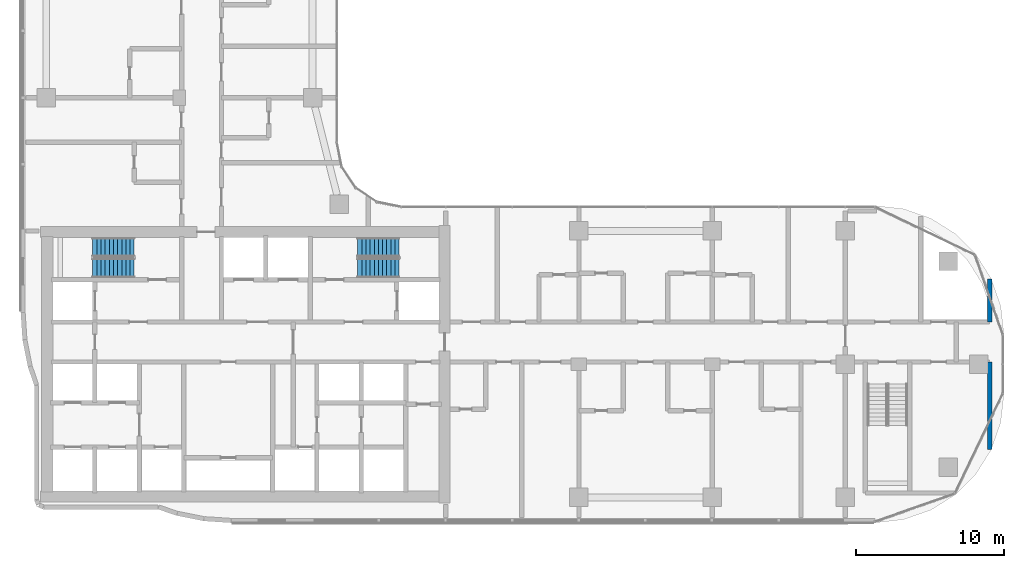
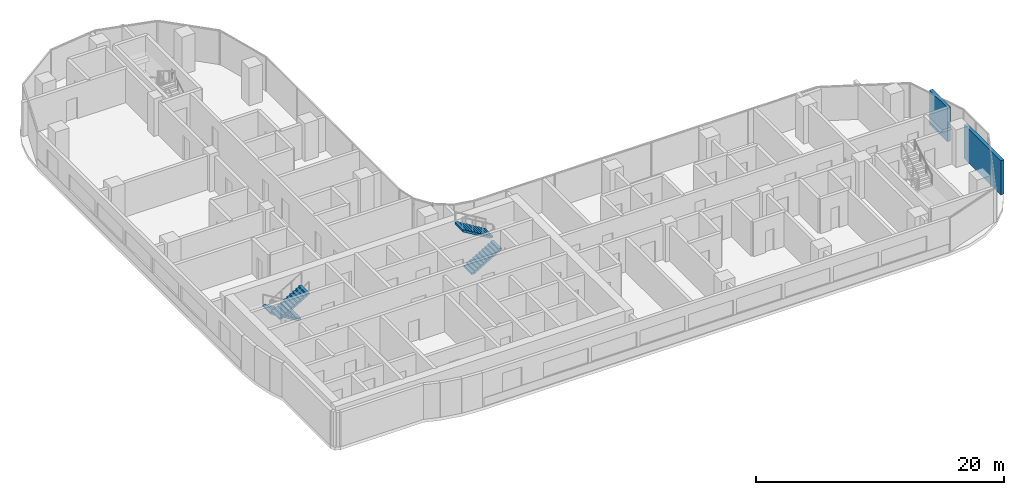
# One storey, part 14 of 22: 4 stair flights, 2 walls, 2 elements without a shape of their own.
"""IFC4 building model written with IfcOpenShell, lengths in metres."""

from ifc_helpers import new_model, si_unit, direction, frame, frame_2d, origin, place, context, subcontext, project, spatial, rectangle, extrude, triangles, source, transform, mapped, material, layer, layer_set, type_object, element, aggregate, save


model = new_model("IFC4")

# Units and contexts
model_context = context("Model", 3, precision=1e-05, world=origin(), true_north=direction((0.0, 1.0)))
body_context = subcontext(model_context, "Body", "Model", "MODEL_VIEW")
ifc_project = project(units=[si_unit("LENGTHUNIT", "METRE"), si_unit("AREAUNIT", "SQUARE_METRE"), si_unit("VOLUMEUNIT", "CUBIC_METRE"), si_unit("PLANEANGLEUNIT", "RADIAN"), si_unit("MASSUNIT", "GRAM", prefix="KILO")], contexts=[model_context])

# Site, building, storey
site_placement = place(None, origin())
site = spatial("IfcSite", under=ifc_project, at=site_placement, CompositionType="ELEMENT")
building_placement = place(site_placement, origin())
building = spatial("IfcBuilding", under=site, at=building_placement, Name="Ogive Portal Towers", CompositionType="ELEMENT")
storey_placement = place(building_placement, frame((0.0, 0.0, 131.5)))
storey = spatial("IfcBuildingStorey", under=building, at=storey_placement, Name="L32", CompositionType="ELEMENT", Elevation=131.5)

# Walls
ifc_material_1 = material(Name="Gypsum board partition on steel studs", Category="steel")
ifc_layer = layer(ifc_material_1, 0.300048828125)
ifc_layer_set = layer_set([ifc_layer], Name="WT-PART-300-EI 60")
wall_type = type_object("IfcWallType", Name="WT-PART-300-EI 60", PredefinedType="PARTITIONING", material=ifc_layer_set)
wall_1_placement = place(storey_placement, frame((95.25, 24.75390625, 0.0), z_axis=(0.0, 0.0, 1.0), x_axis=(0.0, 1.0, 0.0)))
element("IfcWall", 1, at=wall_1_placement, inside=storey, type_object=wall_type, Name="Wall L32:w066", PredefinedType="PARTITIONING", context=body_context, shape_type="SweptSolid", body=[
    extrude(rectangle(XDim=5.89599609375, YDim=0.300048828125, at=frame_2d((2.947998046875, 0.0))), origin(), (0.0, 0.0, 1.0), 3.35009765625),
])
wall_2_placement = place(storey_placement, frame((95.25, 33.35009765625, 0.0), z_axis=(0.0, 0.0, 1.0), x_axis=(0.0, 1.0, 0.0)))
element("IfcWall", 2, at=wall_2_placement, inside=storey, type_object=wall_type, Name="Wall L32:w067", PredefinedType="PARTITIONING", context=body_context, shape_type="SweptSolid", body=[
    extrude(rectangle(XDim=2.89599609375, YDim=0.300048828125, at=frame_2d((1.447998046875, 0.0))), origin(), (0.0, 0.0, 1.0), 3.35009765625),
])

# Stair, stair flights
ifc_material_2 = material(Name="Concrete C40/50", Category="concrete")
stair_type = type_object("IfcStairType", Name="INT-STAIR", PredefinedType="HALF_TURN_STAIR", material=ifc_material_2)
stair_1_placement = place(storey_placement, origin())
stair_1 = element("IfcStair", 3, at=stair_1_placement, inside=storey, type_object=stair_type, Name="L32 Exit Stair ST-A1", PredefinedType="HALF_TURN_STAIR")
stair_flight_type = type_object("IfcStairFlightType", Name="INT-FLIGHT", PredefinedType="STRAIGHT", material=ifc_material_2)
shared_shape = source(origin(), body_context, "Body", "Tessellation", [
    triangles([(0.0, -0.650146484375, 0.0), (0.0, -0.376220703125, 0.0), (0.0, -0.192626953125, 0.0), (0.0, -0.081298828125, 0.0), (0.0, -0.024169921875, 0.0), (0.0, -0.003173828125, 0.0), (0.0, 0.0, 0.0), (0.0, 0.0029296875, 0.0), (0.0, 0.02392578125, 0.0), (0.0, 0.0810546875, 0.0), (0.0, 0.1923828125, 0.0), (0.0, 0.3759765625, 0.0), (0.0, 0.64990234375, 0.0), (0.0, -0.650146484375, 0.168212890625), (0.0, -0.376220703125, 0.168212890625), (0.0, -0.192626953125, 0.168212890625), (0.0, -0.081298828125, 0.168212890625), (0.0, -0.024169921875, 0.168212890625), (0.0, -0.003173828125, 0.168212890625), (0.0, 0.0, 0.168212890625), (0.0, 0.0029296875, 0.168212890625), (0.0, 0.02392578125, 0.168212890625), (0.0, 0.0810546875, 0.168212890625), (0.0, 0.1923828125, 0.168212890625), (0.0, 0.3759765625, 0.168212890625), (0.0, 0.64990234375, 0.168212890625), (0.280029296875, -0.650146484375, 0.168212890625), (0.280029296875, -0.376220703125, 0.168212890625), (0.280029296875, -0.192626953125, 0.168212890625), (0.280029296875, -0.081298828125, 0.168212890625), (0.280029296875, -0.024169921875, 0.168212890625), (0.280029296875, -0.003173828125, 0.168212890625), (0.280029296875, 0.0, 0.168212890625), (0.280029296875, 0.0029296875, 0.168212890625), (0.280029296875, 0.02392578125, 0.168212890625), (0.280029296875, 0.0810546875, 0.168212890625), (0.280029296875, 0.1923828125, 0.168212890625), (0.280029296875, 0.3759765625, 0.168212890625), (0.280029296875, 0.64990234375, 0.168212890625), (0.280029296875, -0.650146484375, 0.33642578125), (0.280029296875, -0.376220703125, 0.33642578125), (0.280029296875, -0.192626953125, 0.33642578125), (0.280029296875, -0.081298828125, 0.33642578125), (0.280029296875, -0.024169921875, 0.33642578125), (0.280029296875, -0.003173828125, 0.33642578125), (0.280029296875, 0.0, 0.33642578125), (0.280029296875, 0.0029296875, 0.33642578125), (0.280029296875, 0.02392578125, 0.33642578125), (0.280029296875, 0.0810546875, 0.33642578125), (0.280029296875, 0.1923828125, 0.33642578125), (0.280029296875, 0.3759765625, 0.33642578125), (0.280029296875, 0.64990234375, 0.33642578125), (0.56005859375, -0.650146484375, 0.33642578125), (0.56005859375, -0.376220703125, 0.33642578125), (0.56005859375, -0.192626953125, 0.33642578125), (0.56005859375, -0.081298828125, 0.33642578125), (0.56005859375, -0.024169921875, 0.33642578125), (0.56005859375, -0.003173828125, 0.33642578125), (0.56005859375, 0.0, 0.33642578125), (0.56005859375, 0.0029296875, 0.33642578125), (0.56005859375, 0.02392578125, 0.33642578125), (0.56005859375, 0.0810546875, 0.33642578125), (0.56005859375, 0.1923828125, 0.33642578125), (0.56005859375, 0.3759765625, 0.33642578125), (0.56005859375, 0.64990234375, 0.33642578125), (0.56005859375, -0.650146484375, 0.504638671875), (0.56005859375, -0.376220703125, 0.504638671875), (0.56005859375, -0.192626953125, 0.504638671875), (0.56005859375, -0.081298828125, 0.504638671875), (0.56005859375, -0.024169921875, 0.504638671875), (0.56005859375, -0.003173828125, 0.504638671875), (0.56005859375, 0.0, 0.504638671875), (0.56005859375, 0.0029296875, 0.504638671875), (0.56005859375, 0.02392578125, 0.504638671875), (0.56005859375, 0.0810546875, 0.504638671875), (0.56005859375, 0.1923828125, 0.504638671875), (0.56005859375, 0.3759765625, 0.504638671875), (0.56005859375, 0.64990234375, 0.504638671875), (0.840087890625, -0.650146484375, 0.504638671875), (0.840087890625, -0.376220703125, 0.504638671875), (0.840087890625, -0.192626953125, 0.504638671875), (0.840087890625, -0.081298828125, 0.504638671875), (0.840087890625, -0.024169921875, 0.504638671875), (0.840087890625, -0.003173828125, 0.504638671875), (0.840087890625, 0.0, 0.504638671875), (0.840087890625, 0.0029296875, 0.504638671875), (0.840087890625, 0.02392578125, 0.504638671875), (0.840087890625, 0.0810546875, 0.504638671875), (0.840087890625, 0.1923828125, 0.504638671875), (0.840087890625, 0.3759765625, 0.504638671875), (0.840087890625, 0.64990234375, 0.504638671875), (0.840087890625, -0.650146484375, 0.672607421875), (0.840087890625, -0.376220703125, 0.672607421875), (0.840087890625, -0.192626953125, 0.672607421875), (0.840087890625, -0.081298828125, 0.672607421875), (0.840087890625, -0.024169921875, 0.672607421875), (0.840087890625, -0.003173828125, 0.672607421875), (0.840087890625, 0.0, 0.672607421875), (0.840087890625, 0.0029296875, 0.672607421875), (0.840087890625, 0.02392578125, 0.672607421875), (0.840087890625, 0.0810546875, 0.672607421875), (0.840087890625, 0.1923828125, 0.672607421875), (0.840087890625, 0.3759765625, 0.672607421875), (0.840087890625, 0.64990234375, 0.672607421875), (1.1201171875, -0.650146484375, 0.672607421875), (1.1201171875, -0.376220703125, 0.672607421875), (1.1201171875, -0.192626953125, 0.672607421875), (1.1201171875, -0.081298828125, 0.672607421875), (1.1201171875, -0.024169921875, 0.672607421875), (1.1201171875, -0.003173828125, 0.672607421875), (1.1201171875, 0.0, 0.672607421875), (1.1201171875, 0.0029296875, 0.672607421875), (1.1201171875, 0.02392578125, 0.672607421875), (1.1201171875, 0.0810546875, 0.672607421875), (1.1201171875, 0.1923828125, 0.672607421875), (1.1201171875, 0.3759765625, 0.672607421875), (1.1201171875, 0.64990234375, 0.672607421875), (1.1201171875, -0.650146484375, 0.8408203125), (1.1201171875, -0.376220703125, 0.8408203125), (1.1201171875, -0.192626953125, 0.8408203125), (1.1201171875, -0.081298828125, 0.8408203125), (1.1201171875, -0.024169921875, 0.8408203125), (1.1201171875, -0.003173828125, 0.8408203125), (1.1201171875, 0.0, 0.8408203125), (1.1201171875, 0.0029296875, 0.8408203125), (1.1201171875, 0.02392578125, 0.8408203125), (1.1201171875, 0.0810546875, 0.8408203125), (1.1201171875, 0.1923828125, 0.8408203125), (1.1201171875, 0.3759765625, 0.8408203125), (1.1201171875, 0.64990234375, 0.8408203125), (1.39990234375, -0.650146484375, 0.8408203125), (1.39990234375, -0.376220703125, 0.8408203125), (1.39990234375, -0.192626953125, 0.8408203125), (1.39990234375, -0.081298828125, 0.8408203125), (1.39990234375, -0.024169921875, 0.8408203125), (1.39990234375, -0.003173828125, 0.8408203125), (1.39990234375, 0.0, 0.8408203125), (1.39990234375, 0.0029296875, 0.8408203125), (1.39990234375, 0.02392578125, 0.8408203125), (1.39990234375, 0.0810546875, 0.8408203125), (1.39990234375, 0.1923828125, 0.8408203125), (1.39990234375, 0.3759765625, 0.8408203125), (1.39990234375, 0.64990234375, 0.8408203125), (1.39990234375, -0.650146484375, 1.009033203125), (1.39990234375, -0.376220703125, 1.009033203125), (1.39990234375, -0.192626953125, 1.009033203125), (1.39990234375, -0.081298828125, 1.009033203125), (1.39990234375, -0.024169921875, 1.009033203125), (1.39990234375, -0.003173828125, 1.009033203125), (1.39990234375, 0.0, 1.009033203125), (1.39990234375, 0.0029296875, 1.009033203125), (1.39990234375, 0.02392578125, 1.009033203125), (1.39990234375, 0.0810546875, 1.009033203125), (1.39990234375, 0.1923828125, 1.009033203125), (1.39990234375, 0.3759765625, 1.009033203125), (1.39990234375, 0.64990234375, 1.009033203125), (1.679931640625, -0.650146484375, 1.009033203125), (1.679931640625, -0.376220703125, 1.009033203125), (1.679931640625, -0.192626953125, 1.009033203125), (1.679931640625, -0.081298828125, 1.009033203125), (1.679931640625, -0.024169921875, 1.009033203125), (1.679931640625, -0.003173828125, 1.009033203125), (1.679931640625, 0.0, 1.009033203125), (1.679931640625, 0.0029296875, 1.009033203125), (1.679931640625, 0.02392578125, 1.009033203125), (1.679931640625, 0.0810546875, 1.009033203125), (1.679931640625, 0.1923828125, 1.009033203125), (1.679931640625, 0.3759765625, 1.009033203125), (1.679931640625, 0.64990234375, 1.009033203125), (1.679931640625, -0.650146484375, 1.17724609375), (1.679931640625, -0.376220703125, 1.17724609375), (1.679931640625, -0.192626953125, 1.17724609375), (1.679931640625, -0.081298828125, 1.17724609375), (1.679931640625, -0.024169921875, 1.17724609375), (1.679931640625, -0.003173828125, 1.17724609375), (1.679931640625, 0.0, 1.17724609375), (1.679931640625, 0.0029296875, 1.17724609375), (1.679931640625, 0.02392578125, 1.17724609375), (1.679931640625, 0.0810546875, 1.17724609375), (1.679931640625, 0.1923828125, 1.17724609375), (1.679931640625, 0.3759765625, 1.17724609375), (1.679931640625, 0.64990234375, 1.17724609375), (1.9599609375, -0.650146484375, 1.17724609375), (1.9599609375, -0.376220703125, 1.17724609375), (1.9599609375, -0.192626953125, 1.17724609375), (1.9599609375, -0.081298828125, 1.17724609375), (1.9599609375, -0.024169921875, 1.17724609375), (1.9599609375, -0.003173828125, 1.17724609375), (1.9599609375, 0.0, 1.17724609375), (1.9599609375, 0.0029296875, 1.17724609375), (1.9599609375, 0.02392578125, 1.17724609375), (1.9599609375, 0.0810546875, 1.17724609375), (1.9599609375, 0.1923828125, 1.17724609375), (1.9599609375, 0.3759765625, 1.17724609375), (1.9599609375, 0.64990234375, 1.17724609375), (1.9599609375, -0.650146484375, 1.345458984375), (1.9599609375, -0.376220703125, 1.345458984375), (1.9599609375, -0.192626953125, 1.345458984375), (1.9599609375, -0.081298828125, 1.345458984375), (1.9599609375, -0.024169921875, 1.345458984375), (1.9599609375, -0.003173828125, 1.345458984375), (1.9599609375, 0.0, 1.345458984375), (1.9599609375, 0.0029296875, 1.345458984375), (1.9599609375, 0.02392578125, 1.345458984375), (1.9599609375, 0.0810546875, 1.345458984375), (1.9599609375, 0.1923828125, 1.345458984375), (1.9599609375, 0.3759765625, 1.345458984375), (1.9599609375, 0.64990234375, 1.345458984375), (2.239990234375, -0.650146484375, 1.345458984375), (2.239990234375, -0.376220703125, 1.345458984375), (2.239990234375, -0.192626953125, 1.345458984375), (2.239990234375, -0.081298828125, 1.345458984375), (2.239990234375, -0.024169921875, 1.345458984375), (2.239990234375, -0.003173828125, 1.345458984375), (2.239990234375, 0.0, 1.345458984375), (2.239990234375, 0.0029296875, 1.345458984375), (2.239990234375, 0.02392578125, 1.345458984375), (2.239990234375, 0.0810546875, 1.345458984375), (2.239990234375, 0.1923828125, 1.345458984375), (2.239990234375, 0.3759765625, 1.345458984375), (2.239990234375, 0.64990234375, 1.345458984375), (2.239990234375, -0.650146484375, 1.513671875), (2.239990234375, -0.376220703125, 1.513671875), (2.239990234375, -0.192626953125, 1.513671875), (2.239990234375, -0.081298828125, 1.513671875), (2.239990234375, -0.024169921875, 1.513671875), (2.239990234375, -0.003173828125, 1.513671875), (2.239990234375, 0.0, 1.513671875), (2.239990234375, 0.0029296875, 1.513671875), (2.239990234375, 0.02392578125, 1.513671875), (2.239990234375, 0.0810546875, 1.513671875), (2.239990234375, 0.1923828125, 1.513671875), (2.239990234375, 0.3759765625, 1.513671875), (2.239990234375, 0.64990234375, 1.513671875), (2.52001953125, -0.650146484375, 1.513671875), (2.52001953125, -0.376220703125, 1.513671875), (2.52001953125, -0.192626953125, 1.513671875), (2.52001953125, -0.081298828125, 1.513671875), (2.52001953125, -0.024169921875, 1.513671875), (2.52001953125, -0.003173828125, 1.513671875), (2.52001953125, 0.0, 1.513671875), (2.52001953125, 0.0029296875, 1.513671875), (2.52001953125, 0.02392578125, 1.513671875), (2.52001953125, 0.0810546875, 1.513671875), (2.52001953125, 0.1923828125, 1.513671875), (2.52001953125, 0.3759765625, 1.513671875), (2.52001953125, 0.64990234375, 1.513671875), (2.52001953125, -0.650146484375, 1.681884765625), (2.52001953125, -0.376220703125, 1.681884765625), (2.52001953125, -0.192626953125, 1.681884765625), (2.52001953125, -0.081298828125, 1.681884765625), (2.52001953125, -0.024169921875, 1.681884765625), (2.52001953125, -0.003173828125, 1.681884765625), (2.52001953125, 0.0, 1.681884765625), (2.52001953125, 0.0029296875, 1.681884765625), (2.52001953125, 0.02392578125, 1.681884765625), (2.52001953125, 0.0810546875, 1.681884765625), (2.52001953125, 0.1923828125, 1.681884765625), (2.52001953125, 0.3759765625, 1.681884765625), (2.52001953125, 0.64990234375, 1.681884765625), (2.800048828125, -0.650146484375, 1.681884765625), (2.800048828125, -0.376220703125, 1.681884765625), (2.800048828125, -0.192626953125, 1.681884765625), (2.800048828125, -0.081298828125, 1.681884765625), (2.800048828125, -0.024169921875, 1.681884765625), (2.800048828125, -0.003173828125, 1.681884765625), (2.800048828125, 0.0, 1.681884765625), (2.800048828125, 0.0029296875, 1.681884765625), (2.800048828125, 0.02392578125, 1.681884765625), (2.800048828125, 0.0810546875, 1.681884765625), (2.800048828125, 0.1923828125, 1.681884765625), (2.800048828125, 0.3759765625, 1.681884765625), (2.800048828125, 0.64990234375, 1.681884765625), (2.800048828125, -0.650146484375, 1.5068359375), (2.800048828125, -0.376220703125, 1.5068359375), (2.800048828125, -0.192626953125, 1.5068359375), (2.800048828125, -0.081298828125, 1.5068359375), (2.800048828125, -0.024169921875, 1.5068359375), (2.800048828125, -0.003173828125, 1.5068359375), (2.800048828125, 0.0, 1.5068359375), (2.800048828125, 0.0029296875, 1.5068359375), (2.800048828125, 0.02392578125, 1.5068359375), (2.800048828125, 0.0810546875, 1.5068359375), (2.800048828125, 0.1923828125, 1.5068359375), (2.800048828125, 0.3759765625, 1.5068359375), (2.800048828125, 0.64990234375, 1.5068359375), (0.291015625, -0.650146484375, 0.0), (0.291015625, -0.376220703125, 0.0), (0.291015625, -0.192626953125, 0.0), (0.291015625, -0.081298828125, 0.0), (0.291015625, -0.024169921875, 0.0), (0.291015625, -0.003173828125, 0.0), (0.291015625, 0.0, 0.0), (0.291015625, 0.0029296875, 0.0), (0.291015625, 0.02392578125, 0.0), (0.291015625, 0.0810546875, 0.0), (0.291015625, 0.1923828125, 0.0), (0.291015625, 0.3759765625, 0.0), (0.291015625, 0.64990234375, 0.0)], [[1, 14, 15], [1, 15, 2], [2, 15, 16], [2, 16, 3], [3, 16, 17], [3, 17, 4], [4, 17, 18], [4, 18, 5], [5, 18, 19], [5, 19, 6], [6, 19, 20], [6, 20, 7], [7, 20, 21], [7, 21, 8], [8, 21, 22], [8, 22, 9], [9, 22, 23], [9, 23, 10], [10, 23, 24], [10, 24, 11], [11, 24, 25], [11, 25, 12], [12, 25, 26], [12, 26, 13], [14, 27, 28], [14, 28, 15], [15, 28, 29], [15, 29, 16], [16, 29, 30], [16, 30, 17], [17, 30, 31], [17, 31, 18], [18, 31, 32], [18, 32, 19], [19, 32, 33], [19, 33, 20], [20, 33, 34], [20, 34, 21], [21, 34, 35], [21, 35, 22], [22, 35, 36], [22, 36, 23], [23, 36, 37], [23, 37, 24], [24, 37, 38], [24, 38, 25], [25, 38, 39], [25, 39, 26], [27, 40, 41], [27, 41, 28], [28, 41, 42], [28, 42, 29], [29, 42, 43], [29, 43, 30], [30, 43, 44], [30, 44, 31], [31, 44, 45], [31, 45, 32], [32, 45, 46], [32, 46, 33], [33, 46, 47], [33, 47, 34], [34, 47, 48], [34, 48, 35], [35, 48, 49], [35, 49, 36], [36, 49, 50], [36, 50, 37], [37, 50, 51], [37, 51, 38], [38, 51, 52], [38, 52, 39], [40, 53, 54], [40, 54, 41], [41, 54, 55], [41, 55, 42], [42, 55, 56], [42, 56, 43], [43, 56, 57], [43, 57, 44], [44, 57, 58], [44, 58, 45], [45, 58, 59], [45, 59, 46], [46, 59, 60], [46, 60, 47], [47, 60, 61], [47, 61, 48], [48, 61, 62], [48, 62, 49], [49, 62, 63], [49, 63, 50], [50, 63, 64], [50, 64, 51], [51, 64, 65], [51, 65, 52], [53, 66, 67], [53, 67, 54], [54, 67, 68], [54, 68, 55], [55, 68, 69], [55, 69, 56], [56, 69, 70], [56, 70, 57], [57, 70, 71], [57, 71, 58], [58, 71, 72], [58, 72, 59], [59, 72, 73], [59, 73, 60], [60, 73, 74], [60, 74, 61], [61, 74, 75], [61, 75, 62], [62, 75, 76], [62, 76, 63], [63, 76, 77], [63, 77, 64], [64, 77, 78], [64, 78, 65], [66, 79, 80], [66, 80, 67], [67, 80, 81], [67, 81, 68], [68, 81, 82], [68, 82, 69], [69, 82, 83], [69, 83, 70], [70, 83, 84], [70, 84, 71], [71, 84, 85], [71, 85, 72], [72, 85, 86], [72, 86, 73], [73, 86, 87], [73, 87, 74], [74, 87, 88], [74, 88, 75], [75, 88, 89], [75, 89, 76], [76, 89, 90], [76, 90, 77], [77, 90, 91], [77, 91, 78], [79, 92, 93], [79, 93, 80], [80, 93, 94], [80, 94, 81], [81, 94, 95], [81, 95, 82], [82, 95, 96], [82, 96, 83], [83, 96, 97], [83, 97, 84], [84, 97, 98], [84, 98, 85], [85, 98, 99], [85, 99, 86], [86, 99, 100], [86, 100, 87], [87, 100, 101], [87, 101, 88], [88, 101, 102], [88, 102, 89], [89, 102, 103], [89, 103, 90], [90, 103, 104], [90, 104, 91], [92, 105, 106], [92, 106, 93], [93, 106, 107], [93, 107, 94], [94, 107, 108], [94, 108, 95], [95, 108, 109], [95, 109, 96], [96, 109, 110], [96, 110, 97], [97, 110, 111], [97, 111, 98], [98, 111, 112], [98, 112, 99], [99, 112, 113], [99, 113, 100], [100, 113, 114], [100, 114, 101], [101, 114, 115], [101, 115, 102], [102, 115, 116], [102, 116, 103], [103, 116, 117], [103, 117, 104], [105, 118, 119], [105, 119, 106], [106, 119, 120], [106, 120, 107], [107, 120, 121], [107, 121, 108], [108, 121, 122], [108, 122, 109], [109, 122, 123], [109, 123, 110], [110, 123, 124], [110, 124, 111], [111, 124, 125], [111, 125, 112], [112, 125, 126], [112, 126, 113], [113, 126, 127], [113, 127, 114], [114, 127, 128], [114, 128, 115], [115, 128, 129], [115, 129, 116], [116, 129, 130], [116, 130, 117], [118, 131, 132], [118, 132, 119], [119, 132, 133], [119, 133, 120], [120, 133, 134], [120, 134, 121], [121, 134, 135], [121, 135, 122], [122, 135, 136], [122, 136, 123], [123, 136, 137], [123, 137, 124], [124, 137, 138], [124, 138, 125], [125, 138, 139], [125, 139, 126], [126, 139, 140], [126, 140, 127], [127, 140, 141], [127, 141, 128], [128, 141, 142], [128, 142, 129], [129, 142, 143], [129, 143, 130], [131, 144, 145], [131, 145, 132], [132, 145, 146], [132, 146, 133], [133, 146, 147], [133, 147, 134], [134, 147, 148], [134, 148, 135], [135, 148, 149], [135, 149, 136], [136, 149, 150], [136, 150, 137], [137, 150, 151], [137, 151, 138], [138, 151, 152], [138, 152, 139], [139, 152, 153], [139, 153, 140], [140, 153, 154], [140, 154, 141], [141, 154, 155], [141, 155, 142], [142, 155, 156], [142, 156, 143], [144, 157, 158], [144, 158, 145], [145, 158, 159], [145, 159, 146], [146, 159, 160], [146, 160, 147], [147, 160, 161], [147, 161, 148], [148, 161, 162], [148, 162, 149], [149, 162, 163], [149, 163, 150], [150, 163, 164], [150, 164, 151], [151, 164, 165], [151, 165, 152], [152, 165, 166], [152, 166, 153], [153, 166, 167], [153, 167, 154], [154, 167, 168], [154, 168, 155], [155, 168, 169], [155, 169, 156], [157, 170, 171], [157, 171, 158], [158, 171, 172], [158, 172, 159], [159, 172, 173], [159, 173, 160], [160, 173, 174], [160, 174, 161], [161, 174, 175], [161, 175, 162], [162, 175, 176], [162, 176, 163], [163, 176, 177], [163, 177, 164], [164, 177, 178], [164, 178, 165], [165, 178, 179], [165, 179, 166], [166, 179, 180], [166, 180, 167], [167, 180, 181], [167, 181, 168], [168, 181, 182], [168, 182, 169], [170, 183, 184], [170, 184, 171], [171, 184, 185], [171, 185, 172], [172, 185, 186], [172, 186, 173], [173, 186, 187], [173, 187, 174], [174, 187, 188], [174, 188, 175], [175, 188, 189], [175, 189, 176], [176, 189, 190], [176, 190, 177], [177, 190, 191], [177, 191, 178], [178, 191, 192], [178, 192, 179], [179, 192, 193], [179, 193, 180], [180, 193, 194], [180, 194, 181], [181, 194, 195], [181, 195, 182], [183, 196, 197], [183, 197, 184], [184, 197, 198], [184, 198, 185], [185, 198, 199], [185, 199, 186], [186, 199, 200], [186, 200, 187], [187, 200, 201], [187, 201, 188], [188, 201, 202], [188, 202, 189], [189, 202, 203], [189, 203, 190], [190, 203, 204], [190, 204, 191], [191, 204, 205], [191, 205, 192], [192, 205, 206], [192, 206, 193], [193, 206, 207], [193, 207, 194], [194, 207, 208], [194, 208, 195], [196, 209, 210], [196, 210, 197], [197, 210, 211], [197, 211, 198], [198, 211, 212], [198, 212, 199], [199, 212, 213], [199, 213, 200], [200, 213, 214], [200, 214, 201], [201, 214, 215], [201, 215, 202], [202, 215, 216], [202, 216, 203], [203, 216, 217], [203, 217, 204], [204, 217, 218], [204, 218, 205], [205, 218, 219], [205, 219, 206], [206, 219, 220], [206, 220, 207], [207, 220, 221], [207, 221, 208], [209, 222, 223], [209, 223, 210], [210, 223, 224], [210, 224, 211], [211, 224, 225], [211, 225, 212], [212, 225, 226], [212, 226, 213], [213, 226, 227], [213, 227, 214], [214, 227, 228], [214, 228, 215], [215, 228, 229], [215, 229, 216], [216, 229, 230], [216, 230, 217], [217, 230, 231], [217, 231, 218], [218, 231, 232], [218, 232, 219], [219, 232, 233], [219, 233, 220], [220, 233, 234], [220, 234, 221], [222, 235, 236], [222, 236, 223], [223, 236, 237], [223, 237, 224], [224, 237, 238], [224, 238, 225], [225, 238, 239], [225, 239, 226], [226, 239, 240], [226, 240, 227], [227, 240, 241], [227, 241, 228], [228, 241, 242], [228, 242, 229], [229, 242, 243], [229, 243, 230], [230, 243, 244], [230, 244, 231], [231, 244, 245], [231, 245, 232], [232, 245, 246], [232, 246, 233], [233, 246, 247], [233, 247, 234], [235, 248, 249], [235, 249, 236], [236, 249, 250], [236, 250, 237], [237, 250, 251], [237, 251, 238], [238, 251, 252], [238, 252, 239], [239, 252, 253], [239, 253, 240], [240, 253, 254], [240, 254, 241], [241, 254, 255], [241, 255, 242], [242, 255, 256], [242, 256, 243], [243, 256, 257], [243, 257, 244], [244, 257, 258], [244, 258, 245], [245, 258, 259], [245, 259, 246], [246, 259, 260], [246, 260, 247], [248, 261, 262], [248, 262, 249], [249, 262, 263], [249, 263, 250], [250, 263, 264], [250, 264, 251], [251, 264, 265], [251, 265, 252], [252, 265, 266], [252, 266, 253], [253, 266, 267], [253, 267, 254], [254, 267, 268], [254, 268, 255], [255, 268, 269], [255, 269, 256], [256, 269, 270], [256, 270, 257], [257, 270, 271], [257, 271, 258], [258, 271, 272], [258, 272, 259], [259, 272, 273], [259, 273, 260], [261, 274, 275], [261, 275, 262], [262, 275, 276], [262, 276, 263], [263, 276, 277], [263, 277, 264], [264, 277, 278], [264, 278, 265], [265, 278, 279], [265, 279, 266], [266, 279, 280], [266, 280, 267], [267, 280, 281], [267, 281, 268], [268, 281, 282], [268, 282, 269], [269, 282, 283], [269, 283, 270], [270, 283, 284], [270, 284, 271], [271, 284, 285], [271, 285, 272], [272, 285, 286], [272, 286, 273], [274, 287, 288], [274, 288, 275], [275, 288, 289], [275, 289, 276], [276, 289, 290], [276, 290, 277], [277, 290, 291], [277, 291, 278], [278, 291, 292], [278, 292, 279], [279, 292, 293], [279, 293, 280], [280, 293, 294], [280, 294, 281], [281, 294, 295], [281, 295, 282], [282, 295, 296], [282, 296, 283], [283, 296, 297], [283, 297, 284], [284, 297, 298], [284, 298, 285], [285, 298, 299], [285, 299, 286], [287, 1, 2], [287, 2, 288], [288, 2, 3], [288, 3, 289], [289, 3, 4], [289, 4, 290], [290, 4, 5], [290, 5, 291], [291, 5, 6], [291, 6, 292], [292, 6, 7], [292, 7, 293], [293, 7, 8], [293, 8, 294], [294, 8, 9], [294, 9, 295], [295, 9, 10], [295, 10, 296], [296, 10, 11], [296, 11, 297], [297, 11, 12], [297, 12, 298], [298, 12, 13], [298, 13, 299], [1, 287, 274], [13, 286, 299], [274, 261, 248], [286, 260, 273], [274, 248, 235], [286, 247, 260], [274, 235, 222], [286, 234, 247], [274, 222, 209], [286, 221, 234], [209, 196, 183], [221, 195, 208], [274, 209, 183], [286, 195, 221], [183, 170, 157], [195, 169, 182], [274, 183, 157], [286, 169, 195], [157, 144, 131], [169, 143, 156], [274, 157, 131], [286, 143, 169], [131, 118, 105], [143, 117, 130], [274, 131, 105], [286, 117, 143], [1, 274, 105], [13, 117, 286], [105, 92, 79], [117, 91, 104], [79, 66, 53], [91, 65, 78], [105, 79, 53], [117, 65, 91], [53, 40, 27], [65, 39, 52], [105, 53, 27], [117, 39, 65], [1, 105, 27], [13, 39, 117], [27, 14, 1], [39, 13, 26]], closed=True),
])
stair_flight_1_placement = place(storey_placement, frame((37.449951171875, 38.39990234375, 0.0), z_axis=(0.0, 0.0, 1.0), x_axis=(-1.0, 0.0, 0.0)))
stair_flight_1 = element("IfcStairFlight", 4, at=stair_flight_1_placement, type_object=stair_flight_type, Name="ST-A1 flight 1", NumberOfRisers=11, NumberOfTreads=10, PredefinedType="STRAIGHT", RiserHeight=0.168181818, TreadLength=0.28, context=body_context, shape_type="MappedRepresentation", body=[
    mapped(shared_shape, transform((0.0, 0.0, 0.0), scale=1.0)),
])
stair_flight_2_placement = place(storey_placement, frame((34.64990234375, 37.0, 1.85009765625), z_axis=(0.0, 0.0, 1.0), x_axis=(1.0, 0.0, 0.0)))
stair_flight_2 = element("IfcStairFlight", 5, at=stair_flight_2_placement, type_object=stair_flight_type, Name="ST-A1 flight 2", NumberOfRisers=11, NumberOfTreads=10, PredefinedType="STRAIGHT", RiserHeight=0.168181818, TreadLength=0.28, context=body_context, shape_type="MappedRepresentation", body=[
    mapped(shared_shape, transform((0.0, 0.0, 0.0), scale=1.0)),
])
aggregate(stair_1, [stair_flight_1, stair_flight_2])

stair_2_placement = place(storey_placement, origin())
stair_2 = element("IfcStair", 6, at=stair_2_placement, inside=storey, type_object=stair_type, Name="L32 Exit Stair ST-A2", PredefinedType="HALF_TURN_STAIR")
stair_flight_3_placement = place(storey_placement, frame((52.550048828125, 37.0, 0.0), z_axis=(0.0, 0.0, 1.0), x_axis=(1.0, 0.0, 0.0)))
stair_flight_3 = element("IfcStairFlight", 7, at=stair_flight_3_placement, type_object=stair_flight_type, Name="ST-A2 flight 1", NumberOfRisers=11, NumberOfTreads=10, PredefinedType="STRAIGHT", RiserHeight=0.168181818, TreadLength=0.28, context=body_context, shape_type="MappedRepresentation", body=[
    mapped(shared_shape, transform((0.0, 0.0, 0.0), scale=1.0)),
])
stair_flight_4_placement = place(storey_placement, frame((55.35009765625, 38.39990234375, 1.85009765625), z_axis=(0.0, 0.0, 1.0), x_axis=(-1.0, 0.0, 0.0)))
stair_flight_4 = element("IfcStairFlight", 8, at=stair_flight_4_placement, type_object=stair_flight_type, Name="ST-A2 flight 2", NumberOfRisers=11, NumberOfTreads=10, PredefinedType="STRAIGHT", RiserHeight=0.168181818, TreadLength=0.28, context=body_context, shape_type="MappedRepresentation", body=[
    mapped(shared_shape, transform((0.0, 0.0, 0.0), scale=1.0)),
])
aggregate(stair_2, [stair_flight_3, stair_flight_4])

save(model, "model.ifc")
